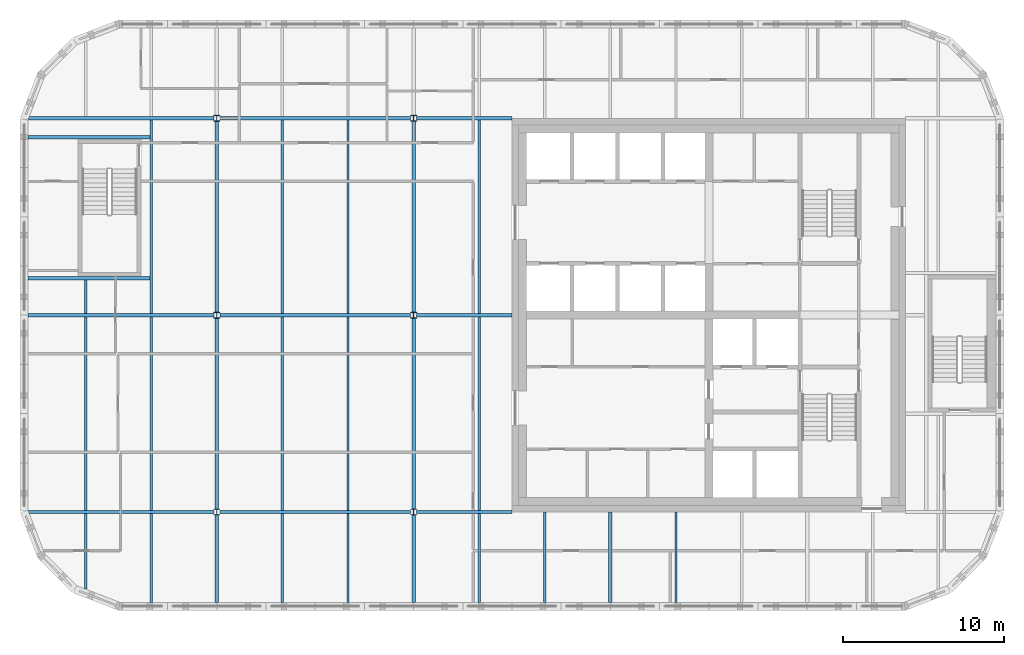
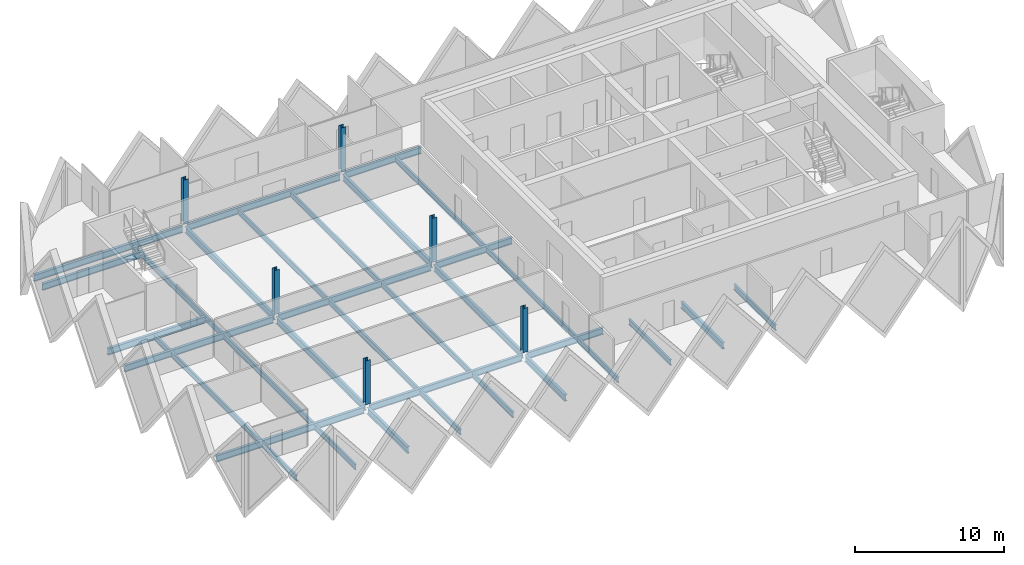
# One storey, part 1 of 10: 35 beams, 6 columns.
"""IFC4 building model written with IfcOpenShell, lengths in metres."""

from ifc_helpers import new_model, si_unit, direction, frame, origin, origin_2d, place, context, subcontext, project, spatial, i_section, extrude, material, material_profile, profile_set, type_object, element, save


model = new_model("IFC4")

# Units and contexts
model_context = context("Model", 3, precision=1e-05, world=origin(), true_north=direction((0.0, 1.0)))
body_context = subcontext(model_context, "Body", "Model", "MODEL_VIEW")
ifc_project = project(units=[si_unit("LENGTHUNIT", "METRE"), si_unit("AREAUNIT", "SQUARE_METRE"), si_unit("VOLUMEUNIT", "CUBIC_METRE"), si_unit("PLANEANGLEUNIT", "RADIAN"), si_unit("MASSUNIT", "GRAM", prefix="KILO")], contexts=[model_context])

# Site, building, storey
site_placement = place(None, origin())
site = spatial("IfcSite", under=ifc_project, at=site_placement, CompositionType="ELEMENT")
building_placement = place(site_placement, origin())
building = spatial("IfcBuilding", under=site, at=building_placement, Name="Tessera Gate Towers", CompositionType="ELEMENT")
storey_placement = place(building_placement, frame((0.0, 0.0, 244.5)))
storey = spatial("IfcBuildingStorey", under=building, at=storey_placement, Name="L61", CompositionType="ELEMENT", Elevation=244.5)

# Columns
ifc_material_1 = material(Name="Steel 350W", Category="steel")
ifc_material_profile_1 = material_profile(ifc_material_1, i_section(OverallWidth=0.373046875, OverallDepth=0.367919921875, WebThickness=0.014892578125, FlangeThickness=0.02392578125, at=origin_2d()), Name="W360x179")
ifc_profile_set_1 = profile_set([ifc_material_profile_1], Name="Steel 350W")
column_type = type_object("IfcColumnType", Name="STEEL COLUMN W360x179", PredefinedType="COLUMN", material=ifc_profile_set_1)
for number, where, z_axis, x_axis, name in (
    (1, (12.199951171875, 24.39990234375, 0.0), (0.0, 0.0, 1.0), (1.0, 0.0, 0.0), "T1-COL-2C-L61"),
    (2, (12.199951171875, 36.60009765625, 0.0), (0.0, 0.0, 1.0), (1.0, 0.0, 0.0), "T1-COL-2D-L61"),
    (3, (12.199951171875, 48.800048828125, 0.0), (0.0, 0.0, 1.0), (1.0, 0.0, 0.0), "T1-COL-2E-L61"),
    (4, (24.39990234375, 24.39990234375, 0.0), (0.0, 0.0, 1.0), (1.0, 0.0, 0.0), "T1-COL-3C-L61"),
    (5, (24.39990234375, 36.60009765625, 0.0), (0.0, 0.0, 1.0), (1.0, 0.0, 0.0), "T1-COL-3D-L61"),
    (6, (24.39990234375, 48.800048828125, 0.0), (0.0, 0.0, 1.0), (1.0, 0.0, 0.0), "T1-COL-3E-L61"),
):
    element("IfcColumn", number, at=place(storey_placement, frame(where, z_axis=z_axis, x_axis=x_axis)), inside=storey, type_object=column_type, Name=name, PredefinedType="COLUMN", context=body_context, shape_type="SweptSolid", body=[
        extrude(i_section(OverallWidth=0.373046875, OverallDepth=0.367919921875, WebThickness=0.014892578125, FlangeThickness=0.02392578125, at=origin_2d()), origin(), (0.0, 0.0, 1.0), 3.60009765625),
    ])

# Beams
ifc_material_2 = material(Name="Steel 350W", Category="steel")
ifc_material_profile_2 = material_profile(ifc_material_2, i_section(OverallWidth=0.208984375, OverallDepth=0.532958984375, WebThickness=0.01025390625, FlangeThickness=0.015625, at=origin_2d()), Name="W530x92")
ifc_profile_set_2 = profile_set([ifc_material_profile_2], Name="Steel 350W")
beam_type_1 = type_object("IfcBeamType", Name="FLOOR GIRDER W530x92", PredefinedType="BEAM", material=ifc_profile_set_2)
beam_1_placement = place(storey_placement, frame((0.534912109375, 24.39990234375, -0.466552734375), z_axis=(1.0, 0.0, 0.0), x_axis=(0.0, 1.0, 0.0)))
element("IfcBeam", 7, at=beam_1_placement, inside=storey, type_object=beam_type_1, Name="T1-GD-L61-6064", PredefinedType="BEAM", context=body_context, shape_type="SweptSolid", body=[
    extrude(i_section(OverallWidth=0.208984375, OverallDepth=0.532958984375, WebThickness=0.01025390625, FlangeThickness=0.015625, at=origin_2d()), origin(), (0.0, 0.0, 1.0), 11.478515625),
])
beam_2_placement = place(storey_placement, frame((12.386474609375, 24.39990234375, -0.466552734375), z_axis=(1.0, 0.0, 0.0), x_axis=(0.0, 1.0, 0.0)))
element("IfcBeam", 8, at=beam_2_placement, inside=storey, type_object=beam_type_1, Name="T1-GD-L61-6065", PredefinedType="BEAM", context=body_context, shape_type="SweptSolid", body=[
    extrude(i_section(OverallWidth=0.208984375, OverallDepth=0.532958984375, WebThickness=0.01025390625, FlangeThickness=0.015625, at=origin_2d()), origin(), (0.0, 0.0, 1.0), 11.826904296875),
])
beam_3_placement = place(storey_placement, frame((24.58642578125, 24.39990234375, -0.466552734375), z_axis=(1.0, 0.0, 0.0), x_axis=(0.0, 1.0, 0.0)))
element("IfcBeam", 9, at=beam_3_placement, inside=storey, type_object=beam_type_1, Name="T1-GD-L61-6066", PredefinedType="BEAM", context=body_context, shape_type="SweptSolid", body=[
    extrude(i_section(OverallWidth=0.208984375, OverallDepth=0.532958984375, WebThickness=0.01025390625, FlangeThickness=0.015625, at=origin_2d()), origin(), (0.0, 0.0, 1.0), 5.91259765625),
])
beam_4_placement = place(storey_placement, frame((0.4990234375, 36.60009765625, -0.466552734375), z_axis=(1.0, 0.0, 0.0), x_axis=(0.0, 1.0, 0.0)))
element("IfcBeam", 10, at=beam_4_placement, inside=storey, type_object=beam_type_1, Name="T1-GD-L61-6068", PredefinedType="BEAM", context=body_context, shape_type="SweptSolid", body=[
    extrude(i_section(OverallWidth=0.208984375, OverallDepth=0.532958984375, WebThickness=0.01025390625, FlangeThickness=0.015625, at=origin_2d()), origin(), (0.0, 0.0, 1.0), 11.514404296875),
])
beam_5_placement = place(storey_placement, frame((12.386474609375, 36.60009765625, -0.466552734375), z_axis=(1.0, 0.0, 0.0), x_axis=(0.0, 1.0, 0.0)))
element("IfcBeam", 11, at=beam_5_placement, inside=storey, type_object=beam_type_1, Name="T1-GD-L61-6069", PredefinedType="BEAM", context=body_context, shape_type="SweptSolid", body=[
    extrude(i_section(OverallWidth=0.208984375, OverallDepth=0.532958984375, WebThickness=0.01025390625, FlangeThickness=0.015625, at=origin_2d()), origin(), (0.0, 0.0, 1.0), 11.826904296875),
])
beam_6_placement = place(storey_placement, frame((24.58642578125, 36.60009765625, -0.466552734375), z_axis=(1.0, 0.0, 0.0), x_axis=(0.0, 1.0, 0.0)))
element("IfcBeam", 12, at=beam_6_placement, inside=storey, type_object=beam_type_1, Name="T1-GD-L61-6070", PredefinedType="BEAM", context=body_context, shape_type="SweptSolid", body=[
    extrude(i_section(OverallWidth=0.208984375, OverallDepth=0.532958984375, WebThickness=0.01025390625, FlangeThickness=0.015625, at=origin_2d()), origin(), (0.0, 0.0, 1.0), 5.91455078125),
])
beam_7_placement = place(storey_placement, frame((0.534912109375, 48.800048828125, -0.466552734375), z_axis=(1.0, 0.0, 0.0), x_axis=(0.0, 1.0, 0.0)))
element("IfcBeam", 13, at=beam_7_placement, inside=storey, type_object=beam_type_1, Name="T1-GD-L61-6072", PredefinedType="BEAM", context=body_context, shape_type="SweptSolid", body=[
    extrude(i_section(OverallWidth=0.208984375, OverallDepth=0.532958984375, WebThickness=0.01025390625, FlangeThickness=0.015625, at=origin_2d()), origin(), (0.0, 0.0, 1.0), 11.478515625),
])
beam_8_placement = place(storey_placement, frame((12.386474609375, 48.800048828125, -0.466552734375), z_axis=(1.0, 0.0, 0.0), x_axis=(0.0, 1.0, 0.0)))
element("IfcBeam", 14, at=beam_8_placement, inside=storey, type_object=beam_type_1, Name="T1-GD-L61-6073", PredefinedType="BEAM", context=body_context, shape_type="SweptSolid", body=[
    extrude(i_section(OverallWidth=0.208984375, OverallDepth=0.532958984375, WebThickness=0.01025390625, FlangeThickness=0.015625, at=origin_2d()), origin(), (0.0, 0.0, 1.0), 11.826904296875),
])
beam_9_placement = place(storey_placement, frame((24.58642578125, 48.800048828125, -0.466552734375), z_axis=(1.0, 0.0, 0.0), x_axis=(0.0, 1.0, 0.0)))
element("IfcBeam", 15, at=beam_9_placement, inside=storey, type_object=beam_type_1, Name="T1-GD-L61-6074", PredefinedType="BEAM", context=body_context, shape_type="SweptSolid", body=[
    extrude(i_section(OverallWidth=0.208984375, OverallDepth=0.532958984375, WebThickness=0.01025390625, FlangeThickness=0.015625, at=origin_2d()), origin(), (0.0, 0.0, 1.0), 5.91259765625),
])
beam_10_placement = place(storey_placement, frame((12.199951171875, 18.799072265625, -0.466552734375), z_axis=(0.0, 1.0, 0.0), x_axis=(-1.0, 0.0, 0.0)))
element("IfcBeam", 16, at=beam_10_placement, inside=storey, type_object=beam_type_1, Name="T1-GD-L61-6076", PredefinedType="BEAM", context=body_context, shape_type="SweptSolid", body=[
    extrude(i_section(OverallWidth=0.208984375, OverallDepth=0.532958984375, WebThickness=0.01025390625, FlangeThickness=0.015625, at=origin_2d()), origin(), (0.0, 0.0, 1.0), 5.414306640625),
])
beam_11_placement = place(storey_placement, frame((12.199951171875, 24.58642578125, -0.466552734375), z_axis=(0.0, 1.0, 0.0), x_axis=(-1.0, 0.0, 0.0)))
element("IfcBeam", 17, at=beam_11_placement, inside=storey, type_object=beam_type_1, Name="T1-GD-L61-6077", PredefinedType="BEAM", context=body_context, shape_type="SweptSolid", body=[
    extrude(i_section(OverallWidth=0.208984375, OverallDepth=0.532958984375, WebThickness=0.01025390625, FlangeThickness=0.015625, at=origin_2d()), origin(), (0.0, 0.0, 1.0), 11.8271484375),
])
beam_12_placement = place(storey_placement, frame((12.199951171875, 36.78662109375, -0.466552734375), z_axis=(0.0, 1.0, 0.0), x_axis=(-1.0, 0.0, 0.0)))
element("IfcBeam", 18, at=beam_12_placement, inside=storey, type_object=beam_type_1, Name="T1-GD-L61-6078", PredefinedType="BEAM", context=body_context, shape_type="SweptSolid", body=[
    extrude(i_section(OverallWidth=0.208984375, OverallDepth=0.532958984375, WebThickness=0.01025390625, FlangeThickness=0.015625, at=origin_2d()), origin(), (0.0, 0.0, 1.0), 11.826904296875),
])
beam_13_placement = place(storey_placement, frame((24.39990234375, 18.799072265625, -0.466552734375), z_axis=(0.0, 1.0, 0.0), x_axis=(-1.0, 0.0, 0.0)))
element("IfcBeam", 19, at=beam_13_placement, inside=storey, type_object=beam_type_1, Name="T1-GD-L61-6080", PredefinedType="BEAM", context=body_context, shape_type="SweptSolid", body=[
    extrude(i_section(OverallWidth=0.208984375, OverallDepth=0.532958984375, WebThickness=0.01025390625, FlangeThickness=0.015625, at=origin_2d()), origin(), (0.0, 0.0, 1.0), 5.414306640625),
])
beam_14_placement = place(storey_placement, frame((24.39990234375, 24.58642578125, -0.466552734375), z_axis=(0.0, 1.0, 0.0), x_axis=(-1.0, 0.0, 0.0)))
element("IfcBeam", 20, at=beam_14_placement, inside=storey, type_object=beam_type_1, Name="T1-GD-L61-6081", PredefinedType="BEAM", context=body_context, shape_type="SweptSolid", body=[
    extrude(i_section(OverallWidth=0.208984375, OverallDepth=0.532958984375, WebThickness=0.01025390625, FlangeThickness=0.015625, at=origin_2d()), origin(), (0.0, 0.0, 1.0), 11.8271484375),
])
beam_15_placement = place(storey_placement, frame((24.39990234375, 36.78662109375, -0.466552734375), z_axis=(0.0, 1.0, 0.0), x_axis=(-1.0, 0.0, 0.0)))
element("IfcBeam", 21, at=beam_15_placement, inside=storey, type_object=beam_type_1, Name="T1-GD-L61-6082", PredefinedType="BEAM", context=body_context, shape_type="SweptSolid", body=[
    extrude(i_section(OverallWidth=0.208984375, OverallDepth=0.532958984375, WebThickness=0.01025390625, FlangeThickness=0.015625, at=origin_2d()), origin(), (0.0, 0.0, 1.0), 11.826904296875),
])
beam_16_placement = place(storey_placement, frame((36.60009765625, 18.799072265625, -0.466552734375), z_axis=(0.0, 1.0, 0.0), x_axis=(-1.0, 0.0, 0.0)))
element("IfcBeam", 22, at=beam_16_placement, inside=storey, type_object=beam_type_1, Name="T1-GD-L61-6084", PredefinedType="BEAM", context=body_context, shape_type="SweptSolid", body=[
    extrude(i_section(OverallWidth=0.208984375, OverallDepth=0.532958984375, WebThickness=0.01025390625, FlangeThickness=0.015625, at=origin_2d()), origin(), (0.0, 0.0, 1.0), 5.600830078125),
])
for number, where, z_axis, x_axis, name in (
    (23, (0.4990234375, 38.8798828125, -0.466552734375), (1.0, 0.0, 0.0), (0.0, 1.0, 0.0), "T1-GD-L61-6086"),
    (24, (0.4990234375, 47.6201171875, -0.466552734375), (1.0, 0.0, 0.0), (0.0, 1.0, 0.0), "T1-GD-L61-6087"),
):
    element("IfcBeam", number, at=place(storey_placement, frame(where, z_axis=z_axis, x_axis=x_axis)), inside=storey, type_object=beam_type_1, Name=name, PredefinedType="BEAM", context=body_context, shape_type="SweptSolid", body=[
        extrude(i_section(OverallWidth=0.208984375, OverallDepth=0.532958984375, WebThickness=0.01025390625, FlangeThickness=0.015625, at=origin_2d()), origin(), (0.0, 0.0, 1.0), 7.557861328125),
    ])
ifc_material_3 = material(Name="Steel 350W", Category="steel")
ifc_material_profile_3 = material_profile(ifc_material_3, i_section(OverallWidth=0.153076171875, OverallDepth=0.455078125, WebThickness=0.008056640625, FlangeThickness=0.01318359375, at=origin_2d()), Name="W460x60")
ifc_profile_set_3 = profile_set([ifc_material_profile_3], Name="Steel 350W")
beam_type_2 = type_object("IfcBeamType", Name="FLOOR SECONDARY W460x60", PredefinedType="BEAM", material=ifc_profile_set_3)
beam_17_placement = place(storey_placement, frame((4.066650390625, 19.620361328125, -0.427490234375), z_axis=(0.0, 1.0, 0.0), x_axis=(-1.0, 0.0, 0.0)))
element("IfcBeam", 25, at=beam_17_placement, inside=storey, type_object=beam_type_2, Name="T1-BM-L61-6091", PredefinedType="BEAM", context=body_context, shape_type="SweptSolid", body=[
    extrude(i_section(OverallWidth=0.153076171875, OverallDepth=0.455078125, WebThickness=0.008056640625, FlangeThickness=0.01318359375, at=origin_2d()), origin(), (0.0, 0.0, 1.0), 4.675048828125),
])
beam_18_placement = place(storey_placement, frame((4.066650390625, 24.50439453125, -0.427490234375), z_axis=(0.0, 1.0, 0.0), x_axis=(-1.0, 0.0, 0.0)))
element("IfcBeam", 26, at=beam_18_placement, inside=storey, type_object=beam_type_2, Name="T1-BM-L61-6092", PredefinedType="BEAM", context=body_context, shape_type="SweptSolid", body=[
    extrude(i_section(OverallWidth=0.153076171875, OverallDepth=0.455078125, WebThickness=0.008056640625, FlangeThickness=0.01318359375, at=origin_2d()), origin(), (0.0, 0.0, 1.0), 11.9912109375),
])
beam_19_placement = place(storey_placement, frame((4.066650390625, 36.70458984375, -0.427490234375), z_axis=(0.0, 1.0, 0.0), x_axis=(-1.0, 0.0, 0.0)))
element("IfcBeam", 27, at=beam_19_placement, inside=storey, type_object=beam_type_2, Name="T1-BM-L61-6093", PredefinedType="BEAM", context=body_context, shape_type="SweptSolid", body=[
    extrude(i_section(OverallWidth=0.153076171875, OverallDepth=0.455078125, WebThickness=0.008056640625, FlangeThickness=0.01318359375, at=origin_2d()), origin(), (0.0, 0.0, 1.0), 2.07080078125),
])
beam_20_placement = place(storey_placement, frame((8.13330078125, 18.800048828125, -0.427490234375), z_axis=(0.0, 1.0, 0.0), x_axis=(-1.0, 0.0, 0.0)))
element("IfcBeam", 28, at=beam_20_placement, inside=storey, type_object=beam_type_2, Name="T1-BM-L61-6095", PredefinedType="BEAM", context=body_context, shape_type="SweptSolid", body=[
    extrude(i_section(OverallWidth=0.153076171875, OverallDepth=0.455078125, WebThickness=0.008056640625, FlangeThickness=0.01318359375, at=origin_2d()), origin(), (0.0, 0.0, 1.0), 5.495361328125),
])
beam_21_placement = place(storey_placement, frame((8.13330078125, 24.50439453125, -0.427490234375), z_axis=(0.0, 1.0, 0.0), x_axis=(-1.0, 0.0, 0.0)))
element("IfcBeam", 29, at=beam_21_placement, inside=storey, type_object=beam_type_2, Name="T1-BM-L61-6096", PredefinedType="BEAM", context=body_context, shape_type="SweptSolid", body=[
    extrude(i_section(OverallWidth=0.153076171875, OverallDepth=0.455078125, WebThickness=0.008056640625, FlangeThickness=0.01318359375, at=origin_2d()), origin(), (0.0, 0.0, 1.0), 11.9912109375),
])
beam_22_placement = place(storey_placement, frame((8.13330078125, 36.70458984375, -0.427490234375), z_axis=(0.0, 1.0, 0.0), x_axis=(-1.0, 0.0, 0.0)))
element("IfcBeam", 30, at=beam_22_placement, inside=storey, type_object=beam_type_2, Name="T1-BM-L61-6097", PredefinedType="BEAM", context=body_context, shape_type="SweptSolid", body=[
    extrude(i_section(OverallWidth=0.153076171875, OverallDepth=0.455078125, WebThickness=0.008056640625, FlangeThickness=0.01318359375, at=origin_2d()), origin(), (0.0, 0.0, 1.0), 11.990966796875),
])
beam_23_placement = place(storey_placement, frame((16.2666015625, 18.800048828125, -0.427490234375), z_axis=(0.0, 1.0, 0.0), x_axis=(-1.0, 0.0, 0.0)))
element("IfcBeam", 31, at=beam_23_placement, inside=storey, type_object=beam_type_2, Name="T1-BM-L61-6099", PredefinedType="BEAM", context=body_context, shape_type="SweptSolid", body=[
    extrude(i_section(OverallWidth=0.153076171875, OverallDepth=0.455078125, WebThickness=0.008056640625, FlangeThickness=0.01318359375, at=origin_2d()), origin(), (0.0, 0.0, 1.0), 5.495361328125),
])
beam_24_placement = place(storey_placement, frame((16.2666015625, 24.50439453125, -0.427490234375), z_axis=(0.0, 1.0, 0.0), x_axis=(-1.0, 0.0, 0.0)))
element("IfcBeam", 32, at=beam_24_placement, inside=storey, type_object=beam_type_2, Name="T1-BM-L61-6100", PredefinedType="BEAM", context=body_context, shape_type="SweptSolid", body=[
    extrude(i_section(OverallWidth=0.153076171875, OverallDepth=0.455078125, WebThickness=0.008056640625, FlangeThickness=0.01318359375, at=origin_2d()), origin(), (0.0, 0.0, 1.0), 11.9912109375),
])
beam_25_placement = place(storey_placement, frame((16.2666015625, 36.70458984375, -0.427490234375), z_axis=(0.0, 1.0, 0.0), x_axis=(-1.0, 0.0, 0.0)))
element("IfcBeam", 33, at=beam_25_placement, inside=storey, type_object=beam_type_2, Name="T1-BM-L61-6101", PredefinedType="BEAM", context=body_context, shape_type="SweptSolid", body=[
    extrude(i_section(OverallWidth=0.153076171875, OverallDepth=0.455078125, WebThickness=0.008056640625, FlangeThickness=0.01318359375, at=origin_2d()), origin(), (0.0, 0.0, 1.0), 11.990966796875),
])
beam_26_placement = place(storey_placement, frame((20.333251953125, 18.800048828125, -0.427490234375), z_axis=(0.0, 1.0, 0.0), x_axis=(-1.0, 0.0, 0.0)))
element("IfcBeam", 34, at=beam_26_placement, inside=storey, type_object=beam_type_2, Name="T1-BM-L61-6103", PredefinedType="BEAM", context=body_context, shape_type="SweptSolid", body=[
    extrude(i_section(OverallWidth=0.153076171875, OverallDepth=0.455078125, WebThickness=0.008056640625, FlangeThickness=0.01318359375, at=origin_2d()), origin(), (0.0, 0.0, 1.0), 5.495361328125),
])
beam_27_placement = place(storey_placement, frame((20.333251953125, 24.50439453125, -0.427490234375), z_axis=(0.0, 1.0, 0.0), x_axis=(-1.0, 0.0, 0.0)))
element("IfcBeam", 35, at=beam_27_placement, inside=storey, type_object=beam_type_2, Name="T1-BM-L61-6104", PredefinedType="BEAM", context=body_context, shape_type="SweptSolid", body=[
    extrude(i_section(OverallWidth=0.153076171875, OverallDepth=0.455078125, WebThickness=0.008056640625, FlangeThickness=0.01318359375, at=origin_2d()), origin(), (0.0, 0.0, 1.0), 11.9912109375),
])
beam_28_placement = place(storey_placement, frame((20.333251953125, 36.70458984375, -0.427490234375), z_axis=(0.0, 1.0, 0.0), x_axis=(-1.0, 0.0, 0.0)))
element("IfcBeam", 36, at=beam_28_placement, inside=storey, type_object=beam_type_2, Name="T1-BM-L61-6105", PredefinedType="BEAM", context=body_context, shape_type="SweptSolid", body=[
    extrude(i_section(OverallWidth=0.153076171875, OverallDepth=0.455078125, WebThickness=0.008056640625, FlangeThickness=0.01318359375, at=origin_2d()), origin(), (0.0, 0.0, 1.0), 11.990966796875),
])
beam_29_placement = place(storey_placement, frame((28.466796875, 18.800048828125, -0.427490234375), z_axis=(0.0, 1.0, 0.0), x_axis=(-1.0, 0.0, 0.0)))
element("IfcBeam", 37, at=beam_29_placement, inside=storey, type_object=beam_type_2, Name="T1-BM-L61-6107", PredefinedType="BEAM", context=body_context, shape_type="SweptSolid", body=[
    extrude(i_section(OverallWidth=0.153076171875, OverallDepth=0.455078125, WebThickness=0.008056640625, FlangeThickness=0.01318359375, at=origin_2d()), origin(), (0.0, 0.0, 1.0), 5.495361328125),
])
beam_30_placement = place(storey_placement, frame((28.466796875, 24.50439453125, -0.427490234375), z_axis=(0.0, 1.0, 0.0), x_axis=(-1.0, 0.0, 0.0)))
element("IfcBeam", 38, at=beam_30_placement, inside=storey, type_object=beam_type_2, Name="T1-BM-L61-6108", PredefinedType="BEAM", context=body_context, shape_type="SweptSolid", body=[
    extrude(i_section(OverallWidth=0.153076171875, OverallDepth=0.455078125, WebThickness=0.008056640625, FlangeThickness=0.01318359375, at=origin_2d()), origin(), (0.0, 0.0, 1.0), 11.9912109375),
])
beam_31_placement = place(storey_placement, frame((28.466796875, 36.70458984375, -0.427490234375), z_axis=(0.0, 1.0, 0.0), x_axis=(-1.0, 0.0, 0.0)))
element("IfcBeam", 39, at=beam_31_placement, inside=storey, type_object=beam_type_2, Name="T1-BM-L61-6109", PredefinedType="BEAM", context=body_context, shape_type="SweptSolid", body=[
    extrude(i_section(OverallWidth=0.153076171875, OverallDepth=0.455078125, WebThickness=0.008056640625, FlangeThickness=0.01318359375, at=origin_2d()), origin(), (0.0, 0.0, 1.0), 11.990966796875),
])
for number, where, z_axis, x_axis, name in (
    (40, (32.533203125, 18.800048828125, -0.427490234375), (0.0, 1.0, 0.0), (-1.0, 0.0, 0.0), "T1-BM-L61-6111"),
    (41, (40.666748046875, 18.800048828125, -0.427490234375), (0.0, 1.0, 0.0), (-1.0, 0.0, 0.0), "T1-BM-L61-6114"),
):
    element("IfcBeam", number, at=place(storey_placement, frame(where, z_axis=z_axis, x_axis=x_axis)), inside=storey, type_object=beam_type_2, Name=name, PredefinedType="BEAM", context=body_context, shape_type="SweptSolid", body=[
        extrude(i_section(OverallWidth=0.153076171875, OverallDepth=0.455078125, WebThickness=0.008056640625, FlangeThickness=0.01318359375, at=origin_2d()), origin(), (0.0, 0.0, 1.0), 5.599853515625),
    ])

save(model, "model.ifc")
